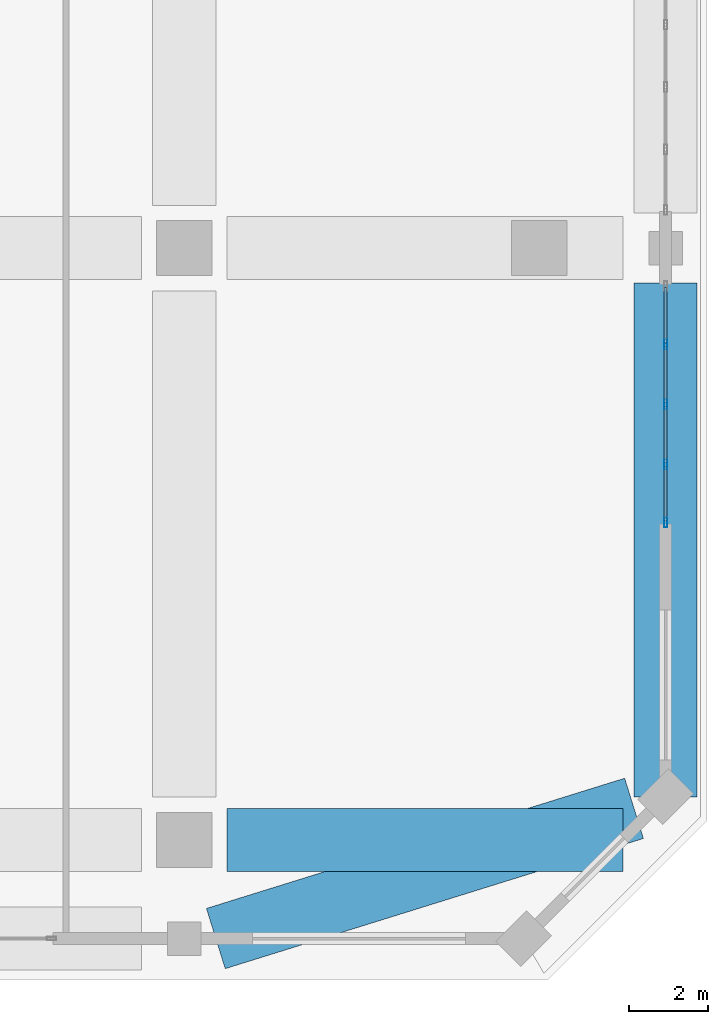
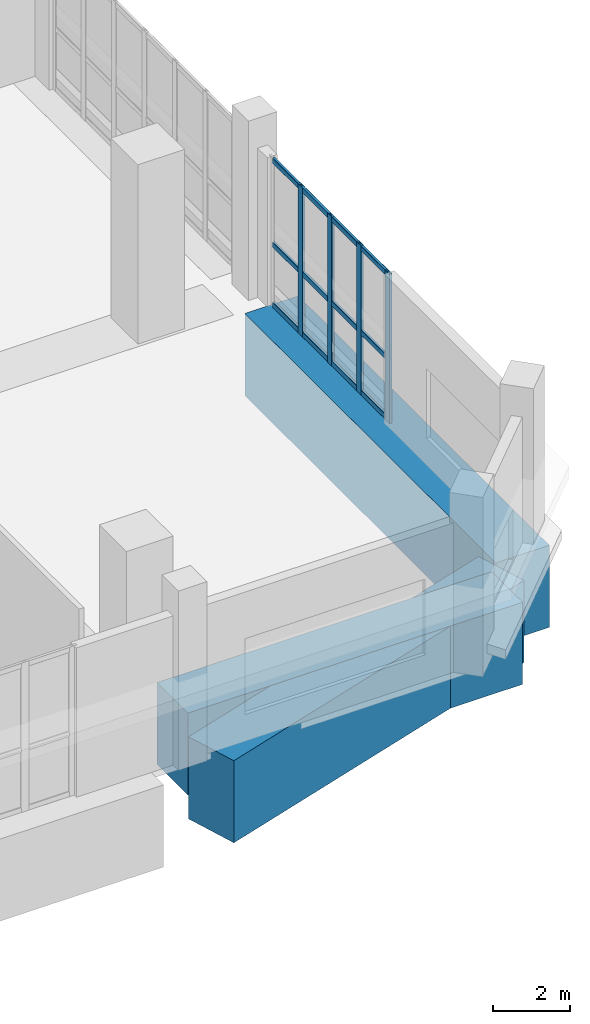
# One storey, part 12 of 25: 16 members, 3 beams, 1 element without a shape of its own.
"""IFC4 building model written with IfcOpenShell, lengths in metres."""

from ifc_helpers import new_model, si_unit, direction, frame, origin, origin_2d, place, context, subcontext, project, spatial, rectangle, hollow_rectangle, extrude, material, layer, layer_set, material_profile, profile_set, type_object, element, aggregate, save


model = new_model("IFC4")

# Units and contexts
model_context = context("Model", 3, precision=1e-05, world=origin(), true_north=direction((0.0, 1.0)))
body_context = subcontext(model_context, "Body", "Model", "MODEL_VIEW")
ifc_project = project(units=[si_unit("LENGTHUNIT", "METRE"), si_unit("AREAUNIT", "SQUARE_METRE"), si_unit("VOLUMEUNIT", "CUBIC_METRE"), si_unit("PLANEANGLEUNIT", "RADIAN"), si_unit("MASSUNIT", "GRAM", prefix="KILO")], contexts=[model_context])

# Site, building, storey
site_placement = place(None, origin())
site = spatial("IfcSite", under=ifc_project, at=site_placement, CompositionType="ELEMENT")
building_placement = place(site_placement, origin())
building = spatial("IfcBuilding", under=site, at=building_placement, Name="Kaelvorn Grand Hotel", CompositionType="ELEMENT")
storey_placement = place(building_placement, frame((0.0, 0.0, 8.0)))
storey = spatial("IfcBuildingStorey", under=building, at=storey_placement, Name="L01", CompositionType="ELEMENT", Elevation=8.0)

# Beams
ifc_material_1 = material(Name="Concrete C80/95", Category="concrete")
ifc_material_profile_1 = material_profile(ifc_material_1, rectangle(XDim=1.60009765625, YDim=2.60009765625, at=origin_2d()), Name="RC TG 1600x2600")
ifc_profile_set_1 = profile_set([ifc_material_profile_1], Name="Concrete C80/95")
beam_type = type_object("IfcBeamType", Name="BM-TG-1600x2600-C80", PredefinedType="USERDEFINED", material=ifc_profile_set_1)
beam_1_placement = place(storey_placement, frame((76.0849609375, 0.0, -1.300048828125), z_axis=(1.0, 0.0, 0.0), x_axis=(0.0, 1.0, 0.0)))
element("IfcBeam", 1, at=beam_1_placement, inside=storey, type_object=beam_type, Name="L01 Pilotis Transfer Girder TGX-S0 07", ObjectType="TRANSFER GIRDER", PredefinedType="USERDEFINED", context=body_context, shape_type="SweptSolid", body=[
    extrude(rectangle(XDim=1.60009765625, YDim=2.60009765625, at=origin_2d()), origin(), (0.0, 0.0, 1.0), 10.030029296875),
])
beam_2_placement = place(storey_placement, frame((87.199951171875, 1.0849609375, -1.300048828125), z_axis=(0.0, 1.0, 0.0), x_axis=(-1.0, 0.0, 0.0)))
element("IfcBeam", 2, at=beam_2_placement, inside=storey, type_object=beam_type, Name="L01 Pilotis Transfer Girder TGY-E87 01", ObjectType="TRANSFER GIRDER", PredefinedType="USERDEFINED", context=body_context, shape_type="SweptSolid", body=[
    extrude(rectangle(XDim=1.60009765625, YDim=2.60009765625, at=origin_2d()), origin(), (0.0, 0.0, 1.0), 13.030029296875),
])
beam_3_placement = place(storey_placement, frame((75.800048828125, -2.5, -1.300048828125), z_axis=(0.954797565944, 0.297256804912, 0.0), x_axis=(-0.297256804912, 0.954797565944, 0.0)))
element("IfcBeam", 3, at=beam_3_placement, inside=storey, type_object=beam_type, Name="L01 Chamfer Corner Transfer Girder 2", ObjectType="TRANSFER GIRDER", PredefinedType="USERDEFINED", context=body_context, shape_type="SweptSolid", body=[
    extrude(rectangle(XDim=1.60009765625, YDim=2.60009765625, at=origin_2d()), origin(), (0.0, 0.0, 1.0), 11.1015625),
])

# Curtain wall, members
ifc_material_2 = material(Name="Anodised Aluminium", Category="aluminium")
ifc_layer = layer(ifc_material_2, 0.239990234375)
ifc_layer_set = layer_set([ifc_layer], Name="Anodised Aluminium")
curtain_wall_type = type_object("IfcCurtainWallType", Name="CW-SYS1", PredefinedType="NOTDEFINED", material=ifc_layer_set)
curtain_wall_placement = place(storey_placement, origin())
curtain_wall = element("IfcCurtainWall", 4, at=curtain_wall_placement, inside=storey, type_object=curtain_wall_type, Name="L01 Unitised Curtain Wall CW1 (CW-L01-E-01)", PredefinedType="NOTDEFINED")
ifc_material_profile_2 = material_profile(ifc_material_2, hollow_rectangle(XDim=0.080078125, YDim=0.239990234375, WallThickness=0.0048828125, InnerFilletRadius=0.0048828125, OuterFilletRadius=0.010009765625, at=origin_2d()), Name="ALU MULL 80x240")
ifc_profile_set_2 = profile_set([ifc_material_profile_2], Name="Anodised Aluminium")
member_type_1 = type_object("IfcMemberType", Name="CW-SYS1-MULL", PredefinedType="MULLION", material=ifc_profile_set_2)
member_1_placement = place(storey_placement, frame((87.199951171875, 8.0400390625, 0.0), z_axis=(0.0, 0.0, 1.0), x_axis=(-1.0, 0.0, 0.0)))
member_1 = element("IfcMember", 5, at=member_1_placement, type_object=member_type_1, Name="CW1 mullion 1", PredefinedType="MULLION", context=body_context, shape_type="SweptSolid", body=[
    extrude(hollow_rectangle(XDim=0.080078125, YDim=0.239990234375, WallThickness=0.0048828125, InnerFilletRadius=0.0048828125, OuterFilletRadius=0.010009765625, at=origin_2d()), origin(), (0.0, 0.0, 1.0), 4.72998046875),
])
member_2_placement = place(storey_placement, frame((87.199951171875, 9.52001953125, 0.0), z_axis=(0.0, 0.0, 1.0), x_axis=(-1.0, 0.0, 0.0)))
member_2 = element("IfcMember", 6, at=member_2_placement, type_object=member_type_1, Name="CW1 mullion 2", PredefinedType="MULLION", context=body_context, shape_type="SweptSolid", body=[
    extrude(hollow_rectangle(XDim=0.080078125, YDim=0.239990234375, WallThickness=0.0048828125, InnerFilletRadius=0.0048828125, OuterFilletRadius=0.010009765625, at=origin_2d()), origin(), (0.0, 0.0, 1.0), 4.72998046875),
])
member_3_placement = place(storey_placement, frame((87.199951171875, 11.0400390625, 0.0), z_axis=(0.0, 0.0, 1.0), x_axis=(-1.0, 0.0, 0.0)))
member_3 = element("IfcMember", 7, at=member_3_placement, type_object=member_type_1, Name="CW1 mullion 3", PredefinedType="MULLION", context=body_context, shape_type="SweptSolid", body=[
    extrude(hollow_rectangle(XDim=0.080078125, YDim=0.239990234375, WallThickness=0.0048828125, InnerFilletRadius=0.0048828125, OuterFilletRadius=0.010009765625, at=origin_2d()), origin(), (0.0, 0.0, 1.0), 4.72998046875),
])
member_4_placement = place(storey_placement, frame((87.199951171875, 12.56005859375, 0.0), z_axis=(0.0, 0.0, 1.0), x_axis=(-1.0, 0.0, 0.0)))
member_4 = element("IfcMember", 8, at=member_4_placement, type_object=member_type_1, Name="CW1 mullion 4", PredefinedType="MULLION", context=body_context, shape_type="SweptSolid", body=[
    extrude(hollow_rectangle(XDim=0.080078125, YDim=0.239990234375, WallThickness=0.0048828125, InnerFilletRadius=0.0048828125, OuterFilletRadius=0.010009765625, at=origin_2d()), origin(), (0.0, 0.0, 1.0), 4.72998046875),
])
ifc_material_profile_3 = material_profile(ifc_material_2, hollow_rectangle(XDim=0.080078125, YDim=0.1650390625, WallThickness=0.00439453125, InnerFilletRadius=0.00439453125, OuterFilletRadius=0.009033203125, at=origin_2d()), Name="ALU TRAN 80x165")
ifc_profile_set_3 = profile_set([ifc_material_profile_3], Name="Anodised Aluminium")
member_type_2 = type_object("IfcMemberType", Name="CW-SYS1-TRAN", PredefinedType="NOTDEFINED", material=ifc_profile_set_3)
member_5_placement = place(storey_placement, frame((87.199951171875, 8.080078125, 0.08251953125), z_axis=(0.0, 1.0, 0.0), x_axis=(-1.0, 0.0, 0.0)))
member_5 = element("IfcMember", 9, at=member_5_placement, type_object=member_type_2, Name="CW1 transom 1.1", ObjectType="TRANSOM", PredefinedType="USERDEFINED", context=body_context, shape_type="SweptSolid", body=[
    extrude(hollow_rectangle(XDim=0.080078125, YDim=0.1650390625, WallThickness=0.00439453125, InnerFilletRadius=0.00439453125, OuterFilletRadius=0.009033203125, at=origin_2d()), origin(), (0.0, 0.0, 1.0), 1.39990234375),
])
member_6_placement = place(storey_placement, frame((87.199951171875, 8.080078125, 1.986572265625), z_axis=(0.0, 1.0, 0.0), x_axis=(-1.0, 0.0, 0.0)))
member_6 = element("IfcMember", 10, at=member_6_placement, type_object=member_type_2, Name="CW1 transom 1.2", ObjectType="TRANSOM", PredefinedType="USERDEFINED", context=body_context, shape_type="SweptSolid", body=[
    extrude(hollow_rectangle(XDim=0.080078125, YDim=0.1650390625, WallThickness=0.00439453125, InnerFilletRadius=0.00439453125, OuterFilletRadius=0.009033203125, at=origin_2d()), origin(), (0.0, 0.0, 1.0), 1.39990234375),
])
member_7_placement = place(storey_placement, frame((87.199951171875, 8.080078125, 4.6474609375), z_axis=(0.0, 1.0, 0.0), x_axis=(-1.0, 0.0, 0.0)))
member_7 = element("IfcMember", 11, at=member_7_placement, type_object=member_type_2, Name="CW1 transom 1.3", ObjectType="TRANSOM", PredefinedType="USERDEFINED", context=body_context, shape_type="SweptSolid", body=[
    extrude(hollow_rectangle(XDim=0.080078125, YDim=0.1650390625, WallThickness=0.00439453125, InnerFilletRadius=0.00439453125, OuterFilletRadius=0.009033203125, at=origin_2d()), origin(), (0.0, 0.0, 1.0), 1.39990234375),
])
member_8_placement = place(storey_placement, frame((87.199951171875, 9.56005859375, 0.08251953125), z_axis=(0.0, 1.0, 0.0), x_axis=(-1.0, 0.0, 0.0)))
member_8 = element("IfcMember", 12, at=member_8_placement, type_object=member_type_2, Name="CW1 transom 2.1", ObjectType="TRANSOM", PredefinedType="USERDEFINED", context=body_context, shape_type="SweptSolid", body=[
    extrude(hollow_rectangle(XDim=0.080078125, YDim=0.1650390625, WallThickness=0.00439453125, InnerFilletRadius=0.00439453125, OuterFilletRadius=0.009033203125, at=origin_2d()), origin(), (0.0, 0.0, 1.0), 1.43994140625),
])
member_9_placement = place(storey_placement, frame((87.199951171875, 9.56005859375, 1.986572265625), z_axis=(0.0, 1.0, 0.0), x_axis=(-1.0, 0.0, 0.0)))
member_9 = element("IfcMember", 13, at=member_9_placement, type_object=member_type_2, Name="CW1 transom 2.2", ObjectType="TRANSOM", PredefinedType="USERDEFINED", context=body_context, shape_type="SweptSolid", body=[
    extrude(hollow_rectangle(XDim=0.080078125, YDim=0.1650390625, WallThickness=0.00439453125, InnerFilletRadius=0.00439453125, OuterFilletRadius=0.009033203125, at=origin_2d()), origin(), (0.0, 0.0, 1.0), 1.43994140625),
])
member_10_placement = place(storey_placement, frame((87.199951171875, 9.56005859375, 4.6474609375), z_axis=(0.0, 1.0, 0.0), x_axis=(-1.0, 0.0, 0.0)))
member_10 = element("IfcMember", 14, at=member_10_placement, type_object=member_type_2, Name="CW1 transom 2.3", ObjectType="TRANSOM", PredefinedType="USERDEFINED", context=body_context, shape_type="SweptSolid", body=[
    extrude(hollow_rectangle(XDim=0.080078125, YDim=0.1650390625, WallThickness=0.00439453125, InnerFilletRadius=0.00439453125, OuterFilletRadius=0.009033203125, at=origin_2d()), origin(), (0.0, 0.0, 1.0), 1.43994140625),
])
member_11_placement = place(storey_placement, frame((87.199951171875, 11.080078125, 0.08251953125), z_axis=(0.0, 1.0, 0.0), x_axis=(-1.0, 0.0, 0.0)))
member_11 = element("IfcMember", 15, at=member_11_placement, type_object=member_type_2, Name="CW1 transom 3.1", ObjectType="TRANSOM", PredefinedType="USERDEFINED", context=body_context, shape_type="SweptSolid", body=[
    extrude(hollow_rectangle(XDim=0.080078125, YDim=0.1650390625, WallThickness=0.00439453125, InnerFilletRadius=0.00439453125, OuterFilletRadius=0.009033203125, at=origin_2d()), origin(), (0.0, 0.0, 1.0), 1.43994140625),
])
member_12_placement = place(storey_placement, frame((87.199951171875, 11.080078125, 1.986572265625), z_axis=(0.0, 1.0, 0.0), x_axis=(-1.0, 0.0, 0.0)))
member_12 = element("IfcMember", 16, at=member_12_placement, type_object=member_type_2, Name="CW1 transom 3.2", ObjectType="TRANSOM", PredefinedType="USERDEFINED", context=body_context, shape_type="SweptSolid", body=[
    extrude(hollow_rectangle(XDim=0.080078125, YDim=0.1650390625, WallThickness=0.00439453125, InnerFilletRadius=0.00439453125, OuterFilletRadius=0.009033203125, at=origin_2d()), origin(), (0.0, 0.0, 1.0), 1.43994140625),
])
member_13_placement = place(storey_placement, frame((87.199951171875, 11.080078125, 4.6474609375), z_axis=(0.0, 1.0, 0.0), x_axis=(-1.0, 0.0, 0.0)))
member_13 = element("IfcMember", 17, at=member_13_placement, type_object=member_type_2, Name="CW1 transom 3.3", ObjectType="TRANSOM", PredefinedType="USERDEFINED", context=body_context, shape_type="SweptSolid", body=[
    extrude(hollow_rectangle(XDim=0.080078125, YDim=0.1650390625, WallThickness=0.00439453125, InnerFilletRadius=0.00439453125, OuterFilletRadius=0.009033203125, at=origin_2d()), origin(), (0.0, 0.0, 1.0), 1.43994140625),
])
member_14_placement = place(storey_placement, frame((87.199951171875, 12.60009765625, 0.08251953125), z_axis=(0.0, 1.0, 0.0), x_axis=(-1.0, 0.0, 0.0)))
member_14 = element("IfcMember", 18, at=member_14_placement, type_object=member_type_2, Name="CW1 transom 4.1", ObjectType="TRANSOM", PredefinedType="USERDEFINED", context=body_context, shape_type="SweptSolid", body=[
    extrude(hollow_rectangle(XDim=0.080078125, YDim=0.1650390625, WallThickness=0.00439453125, InnerFilletRadius=0.00439453125, OuterFilletRadius=0.009033203125, at=origin_2d()), origin(), (0.0, 0.0, 1.0), 1.39990234375),
])
member_15_placement = place(storey_placement, frame((87.199951171875, 12.60009765625, 1.986572265625), z_axis=(0.0, 1.0, 0.0), x_axis=(-1.0, 0.0, 0.0)))
member_15 = element("IfcMember", 19, at=member_15_placement, type_object=member_type_2, Name="CW1 transom 4.2", ObjectType="TRANSOM", PredefinedType="USERDEFINED", context=body_context, shape_type="SweptSolid", body=[
    extrude(hollow_rectangle(XDim=0.080078125, YDim=0.1650390625, WallThickness=0.00439453125, InnerFilletRadius=0.00439453125, OuterFilletRadius=0.009033203125, at=origin_2d()), origin(), (0.0, 0.0, 1.0), 1.39990234375),
])
member_16_placement = place(storey_placement, frame((87.199951171875, 12.60009765625, 4.6474609375), z_axis=(0.0, 1.0, 0.0), x_axis=(-1.0, 0.0, 0.0)))
member_16 = element("IfcMember", 20, at=member_16_placement, type_object=member_type_2, Name="CW1 transom 4.3", ObjectType="TRANSOM", PredefinedType="USERDEFINED", context=body_context, shape_type="SweptSolid", body=[
    extrude(hollow_rectangle(XDim=0.080078125, YDim=0.1650390625, WallThickness=0.00439453125, InnerFilletRadius=0.00439453125, OuterFilletRadius=0.009033203125, at=origin_2d()), origin(), (0.0, 0.0, 1.0), 1.39990234375),
])
aggregate(curtain_wall, [member_1, member_2, member_3, member_4, member_5, member_6, member_7, member_8, member_9, member_10, member_11, member_12, member_13, member_14, member_15, member_16])

save(model, "model.ifc")
